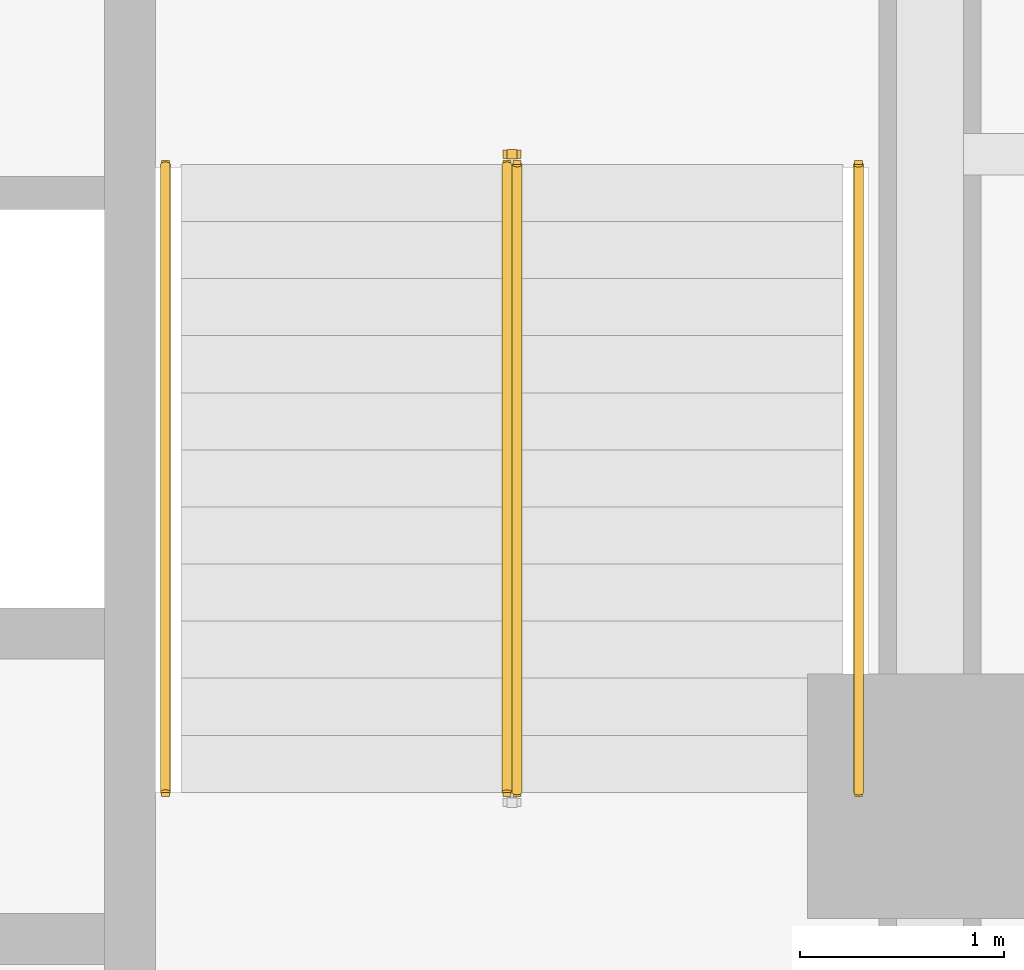
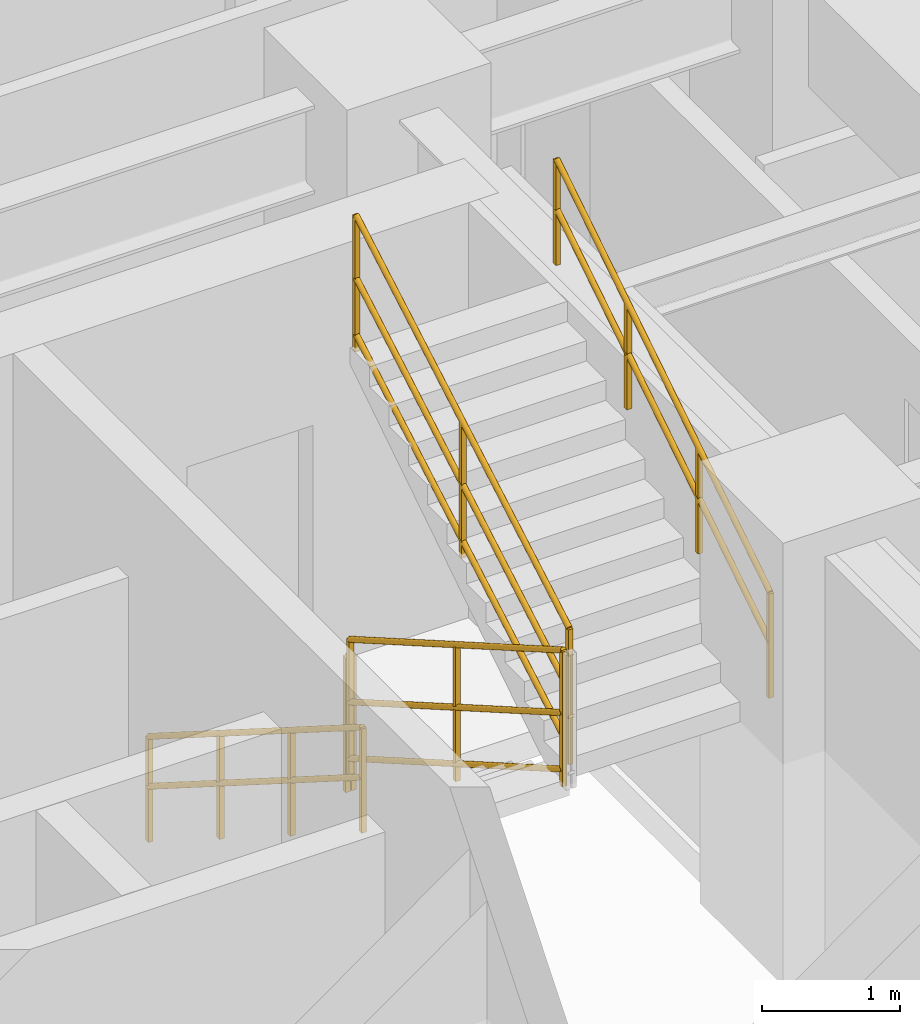
# One storey, part 7 of 8: 5 railings.
"""IFC4 building model written with IfcOpenShell, lengths in metres."""

import ifcopenshell
import ifcopenshell.guid

model = None  # the IFC model being written
_history = None  # IfcOwnerHistory: only IFC2X3 demands one
_inside = {}  # id of a spatial element -> (the spatial element, [elements in it])
_under = {}  # id of a project, library or spatial element -> (it, [spatial elements below it])
_declared = {}  # id of a project -> (the project, [libraries it declares])
_typed = {}  # id of a type object -> (the type object, [elements of that type])
_made_of = {}  # id of a material, layer set ... -> (it, [elements and type objects made of it])


def new_model(schema):
    """Start an empty IFC model of exactly this schema.

    Asked for "IFC4X3", IfcOpenShell would pick the latest addendum, in which some entities
    have other attributes; the version numbers below select the first issue.
    IFC2X3 requires an IfcOwnerHistory on every rooted entity: one is made here for all.
    """
    global model, _history
    if schema == "IFC4X3":
        model = ifcopenshell.file(schema_version=(4, 3, 0, 0))
    else:
        model = ifcopenshell.file(schema=schema)
    _inside.clear()
    _under.clear()
    _declared.clear()
    _typed.clear()
    _made_of.clear()
    _history = None
    if model.schema == "IFC2X3":
        org = make("IfcOrganization", Name="unknown")
        user = make(
            "IfcPersonAndOrganization",
            ThePerson=make("IfcPerson", FamilyName="unknown"),
            TheOrganization=org,
        )
        app = make(
            "IfcApplication",
            ApplicationDeveloper=org,
            Version="unknown",
            ApplicationFullName="unknown",
            ApplicationIdentifier="unknown",
        )
        _history = make(
            "IfcOwnerHistory",
            OwningUser=user,
            OwningApplication=app,
            ChangeAction="ADDED",
            CreationDate=0,
        )
    return model


def make(cls, **values):
    """One entity of the class cls with the attributes given. An attribute that is None is left unset."""
    return model.create_entity(
        cls, **{name: value for name, value in values.items() if value is not None}
    )


def entity(cls, *values):
    """Any entity or typed value of the class cls, its attributes in the order of the schema. None: left unset."""
    e = model.create_entity(cls)
    for i, value in enumerate(values):
        if value is not None:
            e[i] = value
    return e


def rooted(cls, **values):
    """An entity with a GlobalId (a new one), such as an element, a storey or a relation."""
    return make(cls, GlobalId=ifcopenshell.guid.new(), OwnerHistory=_history, **values)


def si_unit(unit_type, name, prefix=None):
    """IfcSIUnit, for example si_unit("LENGTHUNIT", "METRE", prefix="MILLI")."""
    return make("IfcSIUnit", UnitType=unit_type, Prefix=prefix, Name=name)


def converted_unit(unit_type, name, factor, base, dimensions=None, offset=None):
    """IfcConversionBasedUnit, such as the inch: factor (a typed value) times the base unit."""
    return make(
        "IfcConversionBasedUnit"
        if offset is None
        else "IfcConversionBasedUnitWithOffset",
        ConversionOffset=offset,
        Dimensions=None
        if dimensions is None
        else entity("IfcDimensionalExponents", *dimensions),
        UnitType=unit_type,
        Name=name,
        ConversionFactor=make(
            "IfcMeasureWithUnit", ValueComponent=factor, UnitComponent=base
        ),
    )


def assignment(units):
    """IfcUnitAssignment: the units of a project."""
    return None if units is None else make("IfcUnitAssignment", Units=units)


def point(xyz):
    """IfcCartesianPoint."""
    return None if xyz is None else make("IfcCartesianPoint", Coordinates=xyz)


def direction(xyz):
    """IfcDirection."""
    return None if xyz is None else make("IfcDirection", DirectionRatios=xyz)


def frame(location, z_axis=None, x_axis=None):
    """IfcAxis2Placement3D, a coordinate frame: its origin and axes. An axis left out is left unset."""
    return make(
        "IfcAxis2Placement3D",
        Location=point(location),
        Axis=direction(z_axis),
        RefDirection=direction(x_axis),
    )


def frame_2d(location, x_axis=None):
    """IfcAxis2Placement2D, a coordinate frame in the plane: its origin and x axis."""
    return make(
        "IfcAxis2Placement2D", Location=point(location), RefDirection=direction(x_axis)
    )


def origin_with_axes():
    """The frame at (0, 0, 0) with the z axis (0, 0, 1) and the x axis (1, 0, 0) written out."""
    return frame((0.0, 0.0, 0.0), z_axis=(0.0, 0.0, 1.0), x_axis=(1.0, 0.0, 0.0))


def origin_2d_with_axis():
    """The frame at (0, 0) in the plane with the x axis (1, 0) written out."""
    return frame_2d((0.0, 0.0), x_axis=(1.0, 0.0))


def place(relative_to, where):
    """IfcLocalPlacement: puts the frame where relative to a parent placement (None: the world)."""
    return make(
        "IfcLocalPlacement", PlacementRelTo=relative_to, RelativePlacement=where
    )


def context(
    kind, dimensions, precision=None, world=None, true_north=None, identifier=None
):
    """IfcGeometricRepresentationContext, for example the 3D "Model" context."""
    return make(
        "IfcGeometricRepresentationContext",
        ContextIdentifier=identifier,
        ContextType=kind,
        CoordinateSpaceDimension=dimensions,
        Precision=precision,
        WorldCoordinateSystem=world,
        TrueNorth=true_north,
    )


def subcontext(parent, identifier, kind, view, scale=None):
    """IfcGeometricRepresentationSubContext, for example "Body" below "Model"."""
    return make(
        "IfcGeometricRepresentationSubContext",
        ContextIdentifier=identifier,
        ContextType=kind,
        ParentContext=parent,
        TargetScale=scale,
        TargetView=view,
    )


def project(units=None, contexts=None):
    """IfcProject with its units and contexts."""
    return rooted(
        "IfcProject",
        Name="project",
        RepresentationContexts=contexts,
        UnitsInContext=assignment(units),
    )


def spatial(cls, under=None, at=None, **own):
    """A site, building, storey or space (cls), placed at a placement, below another one or the project."""
    s = rooted(cls, ObjectPlacement=at, **own)
    if under is not None:
        _under.setdefault(under.id(), (under, []))[1].append(s)
    return s


def profile(cls, at=None, kind="AREA", **sizes):
    """A parametric profile (cls). Its sizes go by their IFC names, for example OverallWidth=200.0."""
    return make(cls, ProfileType=kind, Position=at, **sizes)


def rectangle(**sizes):
    """IfcRectangleProfileDef."""
    return profile("IfcRectangleProfileDef", **sizes)


def circle(**sizes):
    """IfcCircleProfileDef."""
    return profile("IfcCircleProfileDef", **sizes)


def extrude(swept, where, along, depth):
    """IfcExtrudedAreaSolid: the profile swept, set in the frame where, extruded along a direction by depth."""
    return make(
        "IfcExtrudedAreaSolid",
        SweptArea=swept,
        Position=where,
        ExtrudedDirection=direction(along),
        Depth=depth,
    )


def shape(context_of_items, identifier, shape_type, items):
    """IfcShapeRepresentation: the items that make up one representation, for example the "Body"."""
    return make(
        "IfcShapeRepresentation",
        ContextOfItems=context_of_items,
        RepresentationIdentifier=identifier,
        RepresentationType=shape_type,
        Items=items,
    )


def material(Name=None, Category=None):
    """IfcMaterial."""
    return make("IfcMaterial", Name=Name, Category=Category)


def made_of(thing, what):
    """Note that an element or type object is made of a material, layer set ...; save() writes the relation."""
    if what is not None:
        _made_of.setdefault(what.id(), (what, []))[1].append(thing)
    return thing


def type_object(cls, material=None, **own):
    """A type object (cls), such as IfcWallType, which elements share."""
    return made_of(rooted(cls, **own), material)


def element(
    cls,
    number,
    at=None,
    inside=None,
    cuts=None,
    type_object=None,
    material=None,
    context=None,
    identifier="Body",
    shape_type=None,
    held_by="IfcProductDefinitionShape",
    body=None,
    shapes=None,
    **own,
):
    """One element of the class cls, such as IfcWall. Its Tag is "e" and its number.

    at: its placement. inside: the storey or other place that contains it. cuts: it is an
    opening in that element (IfcRelVoidsElement). A single representation is given by context,
    identifier, shape_type and body (its items); several are given by shapes. held_by: the class
    of the entity that holds the representations. save() writes the other relations.
    """
    e = rooted(cls, Tag="e%d" % number, ObjectPlacement=at, **own)
    if body is not None:
        shapes = [shape(context, identifier, shape_type, body)]
    if shapes is not None:
        e.Representation = make(held_by, Representations=shapes)
    if inside is not None:
        _inside.setdefault(inside.id(), (inside, []))[1].append(e)
    if cuts is not None:
        rooted(
            "IfcRelVoidsElement", RelatingBuildingElement=cuts, RelatedOpeningElement=e
        )
    if type_object is not None:
        _typed.setdefault(type_object.id(), (type_object, []))[1].append(e)
    return made_of(e, material)


def aggregate(whole, parts):
    """IfcRelAggregates: a whole, such as a stair, and the parts it consists of."""
    return rooted("IfcRelAggregates", RelatingObject=whole, RelatedObjects=parts)


def save(model, path):
    """Write the relations noted so far, then the file.

    IfcRelAggregates (storeys below a building ...), IfcRelContainedInSpatialStructure (elements
    in a storey), IfcRelDefinesByType, IfcRelAssociatesMaterial and IfcRelDeclares: one each for
    every whole, place, type object, material and project.
    """
    for whole, parts in _under.values():
        aggregate(whole, parts)
    for where, things in _inside.values():
        rooted(
            "IfcRelContainedInSpatialStructure",
            RelatedElements=things,
            RelatingStructure=where,
        )
    for kind, things in _typed.values():
        rooted("IfcRelDefinesByType", RelatedObjects=things, RelatingType=kind)
    for what, things in _made_of.values():
        rooted("IfcRelAssociatesMaterial", RelatedObjects=things, RelatingMaterial=what)
    for by, libraries in _declared.values():
        rooted("IfcRelDeclares", RelatingContext=by, RelatedDefinitions=libraries)
    model.write(path)


model = new_model("IFC4")

# Units and contexts
model_context = context("Model", 3, precision=1e-05, world=origin_with_axes(), true_north=direction((0.0, 1.0)))
body_context = subcontext(model_context, "Body", "Model", "MODEL_VIEW")
ifc_project = project(units=[si_unit("LENGTHUNIT", "METRE"), si_unit("AREAUNIT", "SQUARE_METRE"), si_unit("VOLUMEUNIT", "CUBIC_METRE"), converted_unit("PLANEANGLEUNIT", "DEGREE", entity("IfcPlaneAngleMeasure", 0.017453292519943295), si_unit("PLANEANGLEUNIT", "RADIAN"), dimensions=[0, 0, 0, 0, 0, 0, 0]), si_unit("MASSUNIT", "GRAM", prefix="KILO"), si_unit("THERMODYNAMICTEMPERATUREUNIT", "KELVIN")], contexts=[model_context])

# Site, building, storey
site_placement = place(None, origin_with_axes())
site = spatial("IfcSite", under=ifc_project, at=site_placement, CompositionType="ELEMENT")
building_placement = place(site_placement, origin_with_axes())
building = spatial("IfcBuilding", under=site, at=building_placement, Name="Varnlund Millrace Tower", CompositionType="ELEMENT")
storey_placement = place(building_placement, frame((0.0, 0.0, 100.8), z_axis=(0.0, 0.0, 1.0), x_axis=(1.0, 0.0, 0.0)))
storey = spatial("IfcBuildingStorey", under=building, at=storey_placement, Name="L24", CompositionType="ELEMENT", Elevation=100.8)

# Railings
ifc_material_1 = material(Name="Painted steel stair well balustrade guard", Category="steel")
railing_type_1 = type_object("IfcRailingType", Name="Type-StairGuard-1150", PredefinedType="GUARDRAIL", material=ifc_material_1)
railing_1_placement = place(storey_placement, frame((0.0, 0.0, -100.8), z_axis=(0.0, 0.0, 1.0), x_axis=(1.0, 0.0, 0.0)))
element("IfcRailing", 1, at=railing_1_placement, inside=storey, type_object=railing_type_1, Name="Type-StairGuard-1150", PredefinedType="GUARDRAIL", context=body_context, shape_type="SweptSolid", body=[
    extrude(circle(Radius=0.024, at=origin_2d_with_axis()), frame((45.975, 21.1, 102.127273), z_axis=(0.0, -0.866696, 0.498836), x_axis=(1.0, 0.0, 0.0)), (0.0, 0.0, 1.0), 3.553725),
    extrude(circle(Radius=0.024, at=origin_2d_with_axis()), frame((45.975, 21.1, 101.077273), z_axis=(0.0, -0.866696, 0.498836), x_axis=(1.0, 0.0, 0.0)), (0.0, 0.0, 1.0), 3.553725),
    extrude(circle(Radius=0.024, at=origin_2d_with_axis()), frame((45.975, 21.1, 101.575273), z_axis=(0.0, -0.866696, 0.498836), x_axis=(1.0, 0.0, 0.0)), (0.0, 0.0, 1.0), 3.553725),
    extrude(rectangle(XDim=0.04, YDim=0.04, at=origin_2d_with_axis()), frame((45.975, 21.1, 100.937273), z_axis=(0.0, 0.0, 1.0), x_axis=(1.0, 0.0, 0.0)), (0.0, 0.0, 1.0), 1.19),
    extrude(rectangle(XDim=0.04, YDim=0.04, at=origin_2d_with_axis()), frame((45.975, 19.56, 101.823636), z_axis=(0.0, 0.0, 1.0), x_axis=(1.0, 0.0, 0.0)), (0.0, 0.0, 1.0), 1.19),
    extrude(rectangle(XDim=0.04, YDim=0.04, at=origin_2d_with_axis()), frame((45.975, 18.02, 102.71), z_axis=(0.0, 0.0, 1.0), x_axis=(1.0, 0.0, 0.0)), (0.0, 0.0, 1.0), 1.19),
])
railing_2_placement = place(storey_placement, frame((0.0, 0.0, -100.8), z_axis=(0.0, 0.0, 1.0), x_axis=(1.0, 0.0, 0.0)))
element("IfcRailing", 2, at=railing_2_placement, inside=storey, type_object=railing_type_1, Name="Type-StairGuard-1150", PredefinedType="GUARDRAIL", context=body_context, shape_type="SweptSolid", body=[
    extrude(circle(Radius=0.024, at=origin_2d_with_axis()), frame((46.025, 18.02, 104.077273), z_axis=(0.0, 0.866696, 0.498836), x_axis=(-1.0, 0.0, 0.0)), (0.0, 0.0, 1.0), 3.553725),
    extrude(circle(Radius=0.024, at=origin_2d_with_axis()), frame((46.025, 18.02, 103.027273), z_axis=(0.0, 0.866696, 0.498836), x_axis=(-1.0, 0.0, 0.0)), (0.0, 0.0, 1.0), 3.553725),
    extrude(circle(Radius=0.024, at=origin_2d_with_axis()), frame((46.025, 18.02, 103.525273), z_axis=(0.0, 0.866696, 0.498836), x_axis=(-1.0, 0.0, 0.0)), (0.0, 0.0, 1.0), 3.553725),
    extrude(rectangle(XDim=0.04, YDim=0.04, at=origin_2d_with_axis()), frame((46.025, 18.02, 102.887273), z_axis=(0.0, 0.0, 1.0), x_axis=(1.0, 0.0, 0.0)), (0.0, 0.0, 1.0), 1.19),
    extrude(rectangle(XDim=0.04, YDim=0.04, at=origin_2d_with_axis()), frame((46.025, 19.56, 103.773636), z_axis=(0.0, 0.0, 1.0), x_axis=(1.0, 0.0, 0.0)), (0.0, 0.0, 1.0), 1.19),
    extrude(rectangle(XDim=0.04, YDim=0.04, at=origin_2d_with_axis()), frame((46.025, 21.1, 104.66), z_axis=(0.0, 0.0, 1.0), x_axis=(1.0, 0.0, 0.0)), (0.0, 0.0, 1.0), 1.19),
])
railing_3_placement = place(storey_placement, frame((0.0, 0.0, -100.8), z_axis=(0.0, 0.0, 1.0), x_axis=(1.0, 0.0, 0.0)))
element("IfcRailing", 3, at=railing_3_placement, inside=storey, type_object=railing_type_1, Name="Type-StairGuard-1150", PredefinedType="GUARDRAIL", context=body_context, shape_type="SweptSolid", body=[
    extrude(circle(Radius=0.024, at=origin_2d_with_axis()), frame((46.025, 21.15, 101.95), z_axis=(-1.0, 0.0, 0.0), x_axis=(0.0, -1.0, 0.0)), (0.0, 0.0, 1.0), 0.05),
    extrude(circle(Radius=0.024, at=origin_2d_with_axis()), frame((46.025, 21.15, 100.9), z_axis=(-1.0, 0.0, 0.0), x_axis=(0.0, -1.0, 0.0)), (0.0, 0.0, 1.0), 0.05),
    extrude(circle(Radius=0.024, at=origin_2d_with_axis()), frame((46.025, 21.15, 101.398), z_axis=(-1.0, 0.0, 0.0), x_axis=(0.0, -1.0, 0.0)), (0.0, 0.0, 1.0), 0.05),
    extrude(rectangle(XDim=0.04, YDim=0.04, at=origin_2d_with_axis()), frame((46.025, 21.15, 100.76), z_axis=(0.0, 0.0, 1.0), x_axis=(1.0, 0.0, 0.0)), (0.0, 0.0, 1.0), 1.19),
    extrude(rectangle(XDim=0.04, YDim=0.04, at=origin_2d_with_axis()), frame((45.975, 21.15, 100.76), z_axis=(0.0, 0.0, 1.0), x_axis=(1.0, 0.0, 0.0)), (0.0, 0.0, 1.0), 1.19),
])
ifc_material_2 = material(Name="Brushed architectural bronze stair handrail", Category="aluminium")
railing_type_2 = type_object("IfcRailingType", Name="Type-StairHandrail-900", PredefinedType="HANDRAIL", material=ifc_material_2)
railing_4_placement = place(storey_placement, frame((0.0, 0.0, -100.8), z_axis=(0.0, 0.0, 1.0), x_axis=(1.0, 0.0, 0.0)))
element("IfcRailing", 4, at=railing_4_placement, inside=storey, type_object=railing_type_2, Name="Type-StairHandrail-900", PredefinedType="HANDRAIL", context=body_context, shape_type="SweptSolid", body=[
    extrude(circle(Radius=0.024, at=origin_2d_with_axis()), frame((44.3, 21.1, 101.856995), z_axis=(0.0, -0.844902, 0.534922), x_axis=(1.0, 0.0, 0.0)), (0.0, 0.0, 1.0), 3.645394),
    extrude(circle(Radius=0.024, at=origin_2d_with_axis()), frame((44.3, 21.1, 101.417134), z_axis=(0.0, -0.844902, 0.534922), x_axis=(1.0, 0.0, 0.0)), (0.0, 0.0, 1.0), 3.645394),
    extrude(rectangle(XDim=0.04, YDim=0.04, at=origin_2d_with_axis()), frame((44.3, 21.1, 100.937273), z_axis=(0.0, 0.0, 1.0), x_axis=(1.0, 0.0, 0.0)), (0.0, 0.0, 1.0), 0.919722),
    extrude(rectangle(XDim=0.04, YDim=0.04, at=origin_2d_with_axis()), frame((44.3, 20.073333, 101.587273), z_axis=(0.0, 0.0, 1.0), x_axis=(1.0, 0.0, 0.0)), (0.0, 0.0, 1.0), 0.919722),
    extrude(rectangle(XDim=0.04, YDim=0.04, at=origin_2d_with_axis()), frame((44.3, 19.046667, 102.237273), z_axis=(0.0, 0.0, 1.0), x_axis=(1.0, 0.0, 0.0)), (0.0, 0.0, 1.0), 0.919722),
    extrude(rectangle(XDim=0.04, YDim=0.04, at=origin_2d_with_axis()), frame((44.3, 18.02, 102.887273), z_axis=(0.0, 0.0, 1.0), x_axis=(1.0, 0.0, 0.0)), (0.0, 0.0, 1.0), 0.919722),
])
railing_5_placement = place(storey_placement, frame((0.0, 0.0, -100.8), z_axis=(0.0, 0.0, 1.0), x_axis=(1.0, 0.0, 0.0)))
element("IfcRailing", 5, at=railing_5_placement, inside=storey, type_object=railing_type_2, Name="Type-StairHandrail-900", PredefinedType="HANDRAIL", context=body_context, shape_type="SweptSolid", body=[
    extrude(circle(Radius=0.024, at=origin_2d_with_axis()), frame((47.7, 18.02, 103.806995), z_axis=(0.0, 0.844902, 0.534922), x_axis=(-1.0, 0.0, 0.0)), (0.0, 0.0, 1.0), 3.645394),
    extrude(circle(Radius=0.024, at=origin_2d_with_axis()), frame((47.7, 18.02, 103.367134), z_axis=(0.0, 0.844902, 0.534922), x_axis=(-1.0, 0.0, 0.0)), (0.0, 0.0, 1.0), 3.645394),
    extrude(rectangle(XDim=0.04, YDim=0.04, at=origin_2d_with_axis()), frame((47.7, 18.02, 102.887273), z_axis=(0.0, 0.0, 1.0), x_axis=(1.0, 0.0, 0.0)), (0.0, 0.0, 1.0), 0.919722),
    extrude(rectangle(XDim=0.04, YDim=0.04, at=origin_2d_with_axis()), frame((47.7, 19.046667, 103.537273), z_axis=(0.0, 0.0, 1.0), x_axis=(1.0, 0.0, 0.0)), (0.0, 0.0, 1.0), 0.919722),
    extrude(rectangle(XDim=0.04, YDim=0.04, at=origin_2d_with_axis()), frame((47.7, 20.073333, 104.187273), z_axis=(0.0, 0.0, 1.0), x_axis=(1.0, 0.0, 0.0)), (0.0, 0.0, 1.0), 0.919722),
    extrude(rectangle(XDim=0.04, YDim=0.04, at=origin_2d_with_axis()), frame((47.7, 21.1, 104.837273), z_axis=(0.0, 0.0, 1.0), x_axis=(1.0, 0.0, 0.0)), (0.0, 0.0, 1.0), 0.919722),
])

save(model, "model.ifc")
